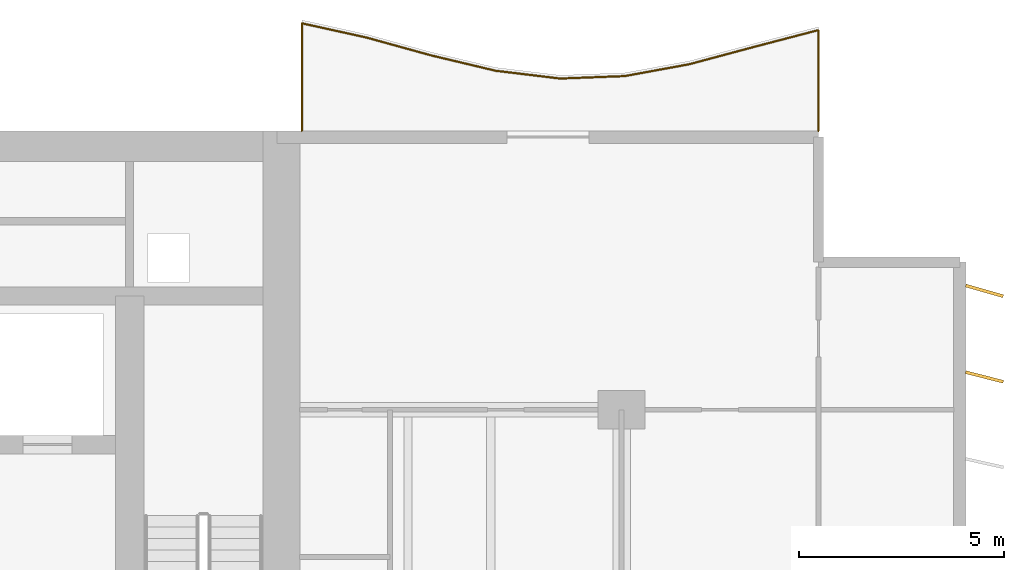
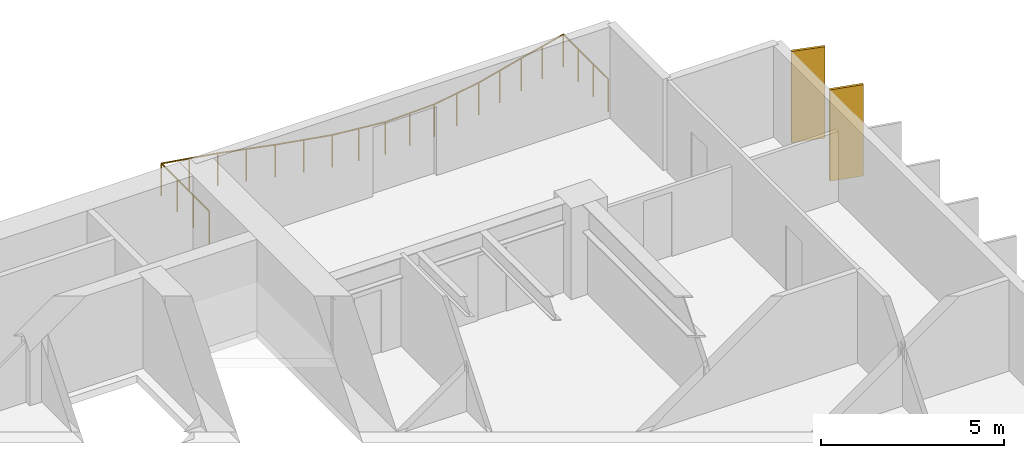
# One storey, part 17 of 17: 2 shading devices, 1 railing.
"""IFC4 building model written with IfcOpenShell, lengths in metres."""

from ifc_helpers import new_model, si_unit, direction, frame, origin, origin_2d, place, context, subcontext, project, spatial, rectangle, circle, extrude, material, material_profile, profile_set, type_object, element, save


model = new_model("IFC4")

# Units and contexts
model_context = context("Model", 3, precision=1e-05, world=origin(), true_north=direction((0.0, 1.0)))
body_context = subcontext(model_context, "Body", "Model", "MODEL_VIEW")
ifc_project = project(units=[si_unit("LENGTHUNIT", "METRE"), si_unit("AREAUNIT", "SQUARE_METRE"), si_unit("VOLUMEUNIT", "CUBIC_METRE"), si_unit("PLANEANGLEUNIT", "RADIAN"), si_unit("MASSUNIT", "GRAM", prefix="KILO")], contexts=[model_context])

# Site, building, storey
site_placement = place(None, origin())
site = spatial("IfcSite", under=ifc_project, at=site_placement, CompositionType="ELEMENT")
building_placement = place(site_placement, origin())
building = spatial("IfcBuilding", under=site, at=building_placement, Name="Caelmar Bay Residences", CompositionType="ELEMENT")
storey_placement = place(building_placement, frame((0.0, 0.0, 33.300048828125)))
storey = spatial("IfcBuildingStorey", under=building, at=storey_placement, Name="L07", CompositionType="ELEMENT", Elevation=33.300048828125)

# Railing
ifc_material_1 = material(Name="Anodised bronze handrail with laminated hurricane glass infill", Category="glass")
railing_type = type_object("IfcRailingType", Name="RL-BAL-1100", PredefinedType="BALUSTRADE", material=ifc_material_1)
railing_placement = place(storey_placement, frame((72.699951171875, 50.60009765625, 0.0)))
element("IfcRailing", 1, at=railing_placement, inside=storey, type_object=railing_type, Name="L07 north_east Balcony Balustrade", PredefinedType="BALUSTRADE", context=body_context, shape_type="SweptSolid", body=[
    extrude(circle(Radius=0.02392578125, at=origin_2d()), frame((0.0, 0.0, 1.076171875), z_axis=(0.0, 1.0, 0.0), x_axis=(-1.0, 0.0, 0.0)), (0.0, 0.0, 1.0), 2.460693359375),
    extrude(circle(Radius=0.02392578125, at=origin_2d()), frame((0.0, 2.460693359375, 1.076171875), z_axis=(-0.96753918199, -0.252721054356, 0.0), x_axis=(0.252721054356, -0.96753918199, 0.0)), (0.0, 0.0, 1.0), 1.627685546875),
    extrude(circle(Radius=0.02392578125, at=origin_2d()), frame((-1.574951171875, 2.04931640625, 1.076171875), z_axis=(-0.966020859721, -0.258464114692, 0.0), x_axis=(0.258464114692, -0.966020859721, 0.0)), (0.0, 0.0, 1.0), 1.63037109375),
    extrude(circle(Radius=0.02392578125, at=origin_2d()), frame((-3.14990234375, 1.6279296875, 1.076171875), z_axis=(-0.983570930926, -0.180522086842, 0.0), x_axis=(0.180522086842, -0.983570930926, 0.0)), (0.0, 0.0, 1.0), 1.601318359375),
    extrude(circle(Radius=0.02392578125, at=origin_2d()), frame((-4.724853515625, 1.3388671875, 1.076171875), z_axis=(-0.999279814953, -0.03794537425, 0.0), x_axis=(0.03794537425, -0.999279814953, 0.0)), (0.0, 0.0, 1.0), 1.576416015625),
    extrude(circle(Radius=0.02392578125, at=origin_2d()), frame((-6.300048828125, 1.279052734375, 1.076171875), z_axis=(-0.992787719874, 0.119885542363, 0.0), x_axis=(-0.119885542363, -0.992787719874, 0.0)), (0.0, 0.0, 1.0), 1.58642578125),
    extrude(circle(Radius=0.02392578125, at=origin_2d()), frame((-7.875, 1.46923828125, 1.076171875), z_axis=(-0.972736601003, 0.231912710021, 0.0), x_axis=(-0.231912710021, -0.972736601003, 0.0)), (0.0, 0.0, 1.0), 1.619140625),
    extrude(circle(Radius=0.02392578125, at=origin_2d()), frame((-9.449951171875, 1.8447265625, 1.076171875), z_axis=(-0.963938442099, 0.266125308538, 0.0), x_axis=(-0.266125308538, -0.963938442099, 0.0)), (0.0, 0.0, 1.0), 1.6337890625),
    extrude(circle(Radius=0.02392578125, at=origin_2d()), frame((-11.02490234375, 2.279541015625, 1.076171875), z_axis=(-0.976556074066, 0.215263174287, 0.0), x_axis=(-0.215263174287, -0.976556074066, 0.0)), (0.0, 0.0, 1.0), 1.61279296875),
    extrude(circle(Radius=0.02392578125, at=origin_2d()), frame((-12.599853515625, 2.626708984375, 1.076171875), z_axis=(0.0, -1.0, 0.0), x_axis=(1.0, 0.0, 0.0)), (0.0, 0.0, 1.0), 2.626708984375),
    extrude(circle(Radius=0.02099609375, at=origin_2d()), origin(), (0.0, 0.0, 1.0), 1.052001953125),
    extrude(circle(Radius=0.02099609375, at=origin_2d()), frame((0.0, 0.8203125, 0.0)), (0.0, 0.0, 1.0), 1.052001953125),
    extrude(circle(Radius=0.02099609375, at=origin_2d()), frame((0.0, 1.640380859375, 0.0)), (0.0, 0.0, 1.0), 1.052001953125),
    extrude(circle(Radius=0.02099609375, at=origin_2d()), frame((0.0, 2.460693359375, 0.0)), (0.0, 0.0, 1.0), 1.052001953125),
    extrude(circle(Radius=0.02099609375, at=origin_2d()), frame((-0.78759765625, 2.2548828125, 0.0)), (0.0, 0.0, 1.0), 1.052001953125),
    extrude(circle(Radius=0.02099609375, at=origin_2d()), frame((-1.574951171875, 2.04931640625, 0.0)), (0.0, 0.0, 1.0), 1.052001953125),
    extrude(circle(Radius=0.02099609375, at=origin_2d()), frame((-2.3623046875, 1.838623046875, 0.0)), (0.0, 0.0, 1.0), 1.052001953125),
    extrude(circle(Radius=0.02099609375, at=origin_2d()), frame((-3.14990234375, 1.6279296875, 0.0)), (0.0, 0.0, 1.0), 1.052001953125),
    extrude(circle(Radius=0.02099609375, at=origin_2d()), frame((-3.9375, 1.4833984375, 0.0)), (0.0, 0.0, 1.0), 1.052001953125),
    extrude(circle(Radius=0.02099609375, at=origin_2d()), frame((-4.724853515625, 1.3388671875, 0.0)), (0.0, 0.0, 1.0), 1.052001953125),
    extrude(circle(Radius=0.02099609375, at=origin_2d()), frame((-5.512451171875, 1.30908203125, 0.0)), (0.0, 0.0, 1.0), 1.052001953125),
    extrude(circle(Radius=0.02099609375, at=origin_2d()), frame((-6.300048828125, 1.279052734375, 0.0)), (0.0, 0.0, 1.0), 1.052001953125),
    extrude(circle(Radius=0.02099609375, at=origin_2d()), frame((-7.08740234375, 1.3740234375, 0.0)), (0.0, 0.0, 1.0), 1.052001953125),
    extrude(circle(Radius=0.02099609375, at=origin_2d()), frame((-7.875, 1.46923828125, 0.0)), (0.0, 0.0, 1.0), 1.052001953125),
    extrude(circle(Radius=0.02099609375, at=origin_2d()), frame((-8.66259765625, 1.656982421875, 0.0)), (0.0, 0.0, 1.0), 1.052001953125),
    extrude(circle(Radius=0.02099609375, at=origin_2d()), frame((-9.449951171875, 1.8447265625, 0.0)), (0.0, 0.0, 1.0), 1.052001953125),
    extrude(circle(Radius=0.02099609375, at=origin_2d()), frame((-10.2373046875, 2.06201171875, 0.0)), (0.0, 0.0, 1.0), 1.052001953125),
    extrude(circle(Radius=0.02099609375, at=origin_2d()), frame((-11.02490234375, 2.279541015625, 0.0)), (0.0, 0.0, 1.0), 1.052001953125),
    extrude(circle(Radius=0.02099609375, at=origin_2d()), frame((-11.8125, 2.453125, 0.0)), (0.0, 0.0, 1.0), 1.052001953125),
    extrude(circle(Radius=0.02099609375, at=origin_2d()), frame((-12.599853515625, 2.626708984375, 0.0)), (0.0, 0.0, 1.0), 1.052001953125),
    extrude(circle(Radius=0.02099609375, at=origin_2d()), frame((-12.599853515625, 1.751220703125, 0.0)), (0.0, 0.0, 1.0), 1.052001953125),
    extrude(circle(Radius=0.02099609375, at=origin_2d()), frame((-12.599853515625, 0.87548828125, 0.0)), (0.0, 0.0, 1.0), 1.052001953125),
    extrude(circle(Radius=0.02099609375, at=origin_2d()), frame((-12.599853515625, 0.0, 0.0)), (0.0, 0.0, 1.0), 1.052001953125),
])

# Shading devices
ifc_material_2 = material(Name="Anodised architectural bronze aluminium 6063-T6", Category="aluminium")
ifc_material_profile = material_profile(ifc_material_2, rectangle(XDim=0.074951171875, YDim=0.949951171875, at=origin_2d()), Name="BRONZE-FIN-75X950")
ifc_profile_set = profile_set([ifc_material_profile], Name="Anodised architectural bronze aluminium 6063-T6")
shading_device_type = type_object("IfcShadingDeviceType", Name="SHD-FIN-950", PredefinedType="USERDEFINED", material=ifc_profile_set)
for number, where, z_axis, x_axis, name in (
    (2, (76.75, 44.60009765625, 0.0), (0.0, 0.0, 1.0), (0.247337247968, 0.968929453452, 0.0), "L07 East Bronze Solar Fin 19"),
    (3, (76.75, 46.699951171875, 0.0), (0.0, 0.0, 1.0), (0.275637355817, 0.961261695938, 0.0), "L07 East Bronze Solar Fin 20"),
):
    element("IfcShadingDevice", number, at=place(storey_placement, frame(where, z_axis=z_axis, x_axis=x_axis)), inside=storey, type_object=shading_device_type, Name=name, ObjectType="FIN", PredefinedType="USERDEFINED", context=body_context, shape_type="SweptSolid", body=[
        extrude(rectangle(XDim=0.074951171875, YDim=0.949951171875, at=origin_2d()), origin(), (0.0, 0.0, 1.0), 3.050048828125),
    ])

save(model, "model.ifc")
